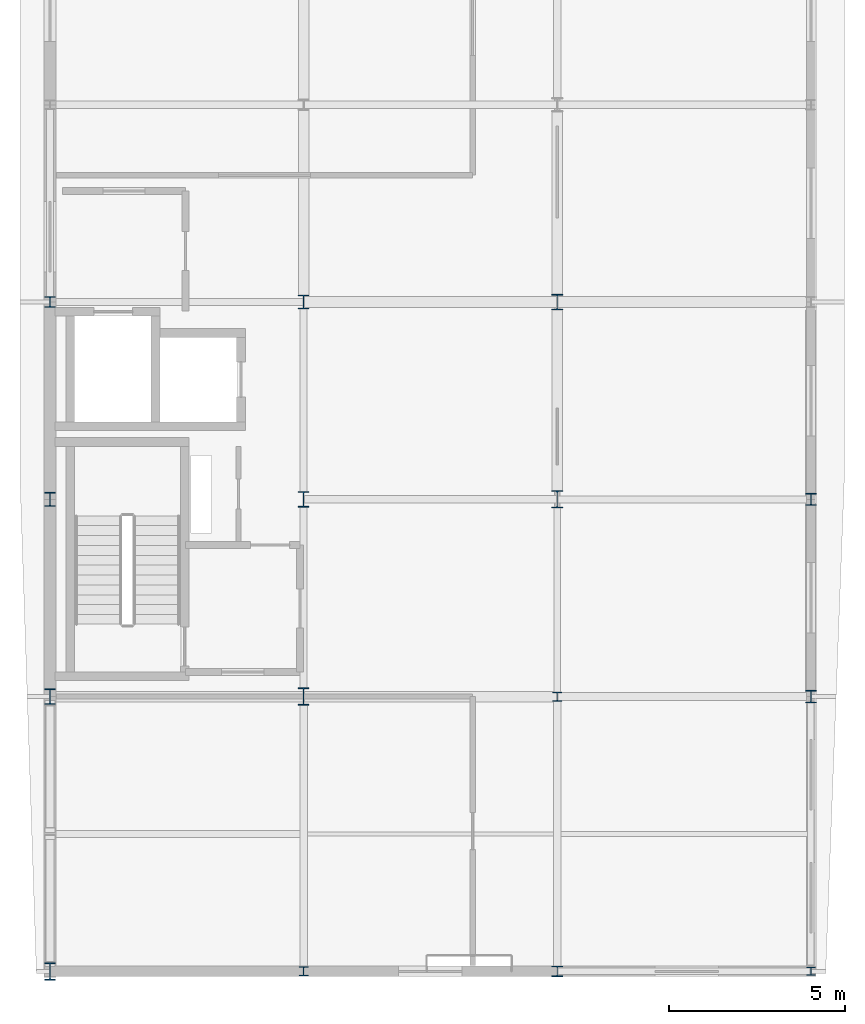
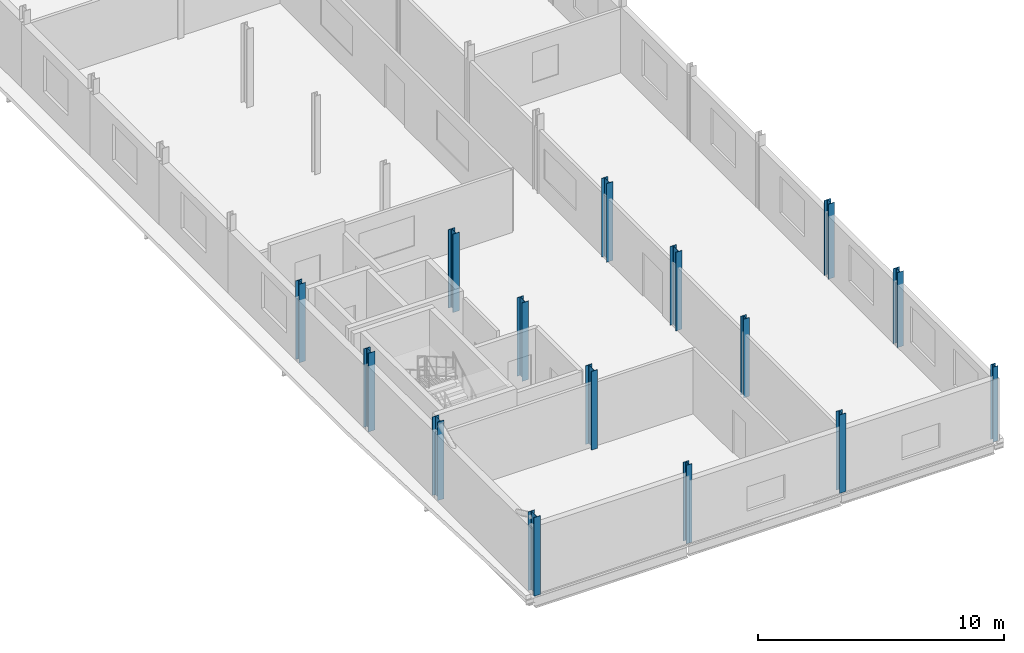
# One storey, part 1 of 16: 15 columns.
"""IFC4 building model written with IfcOpenShell, lengths in metres."""

from ifc_helpers import new_model, si_unit, direction, frame, origin, origin_2d, place, context, subcontext, project, spatial, i_section, extrude, material, material_profile, profile_set, type_object, element, save


model = new_model("IFC4")

# Units and contexts
model_context = context("Model", 3, precision=1e-05, world=origin(), true_north=direction((0.0, 1.0)))
body_context = subcontext(model_context, "Body", "Model", "MODEL_VIEW")
ifc_project = project(units=[si_unit("LENGTHUNIT", "METRE"), si_unit("AREAUNIT", "SQUARE_METRE"), si_unit("VOLUMEUNIT", "CUBIC_METRE"), si_unit("PLANEANGLEUNIT", "RADIAN"), si_unit("MASSUNIT", "GRAM", prefix="KILO")], contexts=[model_context])

# Site, building, storey
site_placement = place(None, origin())
site = spatial("IfcSite", under=ifc_project, at=site_placement, CompositionType="ELEMENT")
building_placement = place(site_placement, origin())
building = spatial("IfcBuilding", under=site, at=building_placement, Name="Vinh Khe Railworks Police Headquarters", CompositionType="ELEMENT")
storey_placement = place(building_placement, frame((0.0, 0.0, 28.800048828125)))
storey = spatial("IfcBuildingStorey", under=building, at=storey_placement, Name="L07", CompositionType="ELEMENT", Elevation=28.800048828125)

# Columns
ifc_material = material(Name="Steel S355JR", Category="steel")
ifc_material_profile_1 = material_profile(ifc_material, i_section(OverallWidth=0.239990234375, OverallDepth=0.22998046875, WebThickness=0.007568359375, FlangeThickness=0.011962890625, FilletRadius=0.02099609375, at=origin_2d()), Name="HEA 240")
ifc_profile_set_1 = profile_set([ifc_material_profile_1], Name="Steel S355JR")
column_type_1 = type_object("IfcColumnType", Name="Steel Column HEA 240", PredefinedType="COLUMN", material=ifc_profile_set_1)
column_1_placement = place(storey_placement, frame((22.199951171875, 17.39990234375, 0.0), z_axis=(0.0, 0.0, 1.0), x_axis=(1.0, 0.0, 0.0)))
element("IfcColumn", 1, at=column_1_placement, inside=storey, type_object=column_type_1, Name="Column COL-L07-SC-20-0516", PredefinedType="COLUMN", context=body_context, shape_type="SweptSolid", body=[
    extrude(i_section(OverallWidth=0.239990234375, OverallDepth=0.22998046875, WebThickness=0.007568359375, FlangeThickness=0.011962890625, FilletRadius=0.02099609375, at=origin_2d()), origin(), (0.0, 0.0, 1.0), 3.719970703125),
])
ifc_material_profile_2 = material_profile(ifc_material, i_section(OverallWidth=0.300048828125, OverallDepth=0.330078125, WebThickness=0.009521484375, FlangeThickness=0.0166015625, FilletRadius=0.027099609375, at=origin_2d()), Name="HEA 340")
ifc_profile_set_2 = profile_set([ifc_material_profile_2], Name="Steel S355JR")
column_type_2 = type_object("IfcColumnType", Name="Steel Column HEA 340", PredefinedType="COLUMN", material=ifc_profile_set_2)
column_2_placement = place(storey_placement, frame((22.199951171875, 30.800048828125, 0.0), z_axis=(0.0, 0.0, 1.0), x_axis=(1.0, 0.0, 0.0)))
element("IfcColumn", 2, at=column_2_placement, inside=storey, type_object=column_type_2, Name="Column COL-L07-SC-17-0534", PredefinedType="COLUMN", context=body_context, shape_type="SweptSolid", body=[
    extrude(i_section(OverallWidth=0.300048828125, OverallDepth=0.330078125, WebThickness=0.009521484375, FlangeThickness=0.0166015625, FilletRadius=0.027099609375, at=origin_2d()), origin(), (0.0, 0.0, 1.0), 3.719970703125),
])
ifc_material_profile_3 = material_profile(ifc_material, i_section(OverallWidth=0.300048828125, OverallDepth=0.35009765625, WebThickness=0.010009765625, FlangeThickness=0.017578125, FilletRadius=0.027099609375, at=origin_2d()), Name="HEA 360")
ifc_profile_set_3 = profile_set([ifc_material_profile_3], Name="Steel S355JR")
column_type_3 = type_object("IfcColumnType", Name="Steel Column HEA 360", PredefinedType="COLUMN", material=ifc_profile_set_3)
column_3_placement = place(storey_placement, frame((22.199951171875, 25.199951171875, 0.0), z_axis=(0.0, 0.0, 1.0), x_axis=(1.0, 0.0, 0.0)))
element("IfcColumn", 3, at=column_3_placement, inside=storey, type_object=column_type_3, Name="Column COL-L07-SC-16-0525", PredefinedType="COLUMN", context=body_context, shape_type="SweptSolid", body=[
    extrude(i_section(OverallWidth=0.300048828125, OverallDepth=0.35009765625, WebThickness=0.010009765625, FlangeThickness=0.017578125, FilletRadius=0.027099609375, at=origin_2d()), origin(), (0.0, 0.0, 1.0), 3.719970703125),
])
ifc_material_profile_4 = material_profile(ifc_material, i_section(OverallWidth=0.300048828125, OverallDepth=0.389892578125, WebThickness=0.010986328125, FlangeThickness=0.01904296875, FilletRadius=0.027099609375, at=origin_2d()), Name="HEA 400")
ifc_profile_set_4 = profile_set([ifc_material_profile_4], Name="Steel S355JR")
column_type_4 = type_object("IfcColumnType", Name="Steel Column HEA 400", PredefinedType="COLUMN", material=ifc_profile_set_4)
for number, where, z_axis, x_axis, name in (
    (4, (0.60009765625, 30.800048828125, 0.0), (0.0, 0.0, 1.0), (1.0, 0.0, 0.0), "Column COL-L07-SC-15-0035"),
    (5, (7.800048828125, 36.39990234375, 0.0), (0.0, 0.0, 1.0), (1.0, 0.0, 0.0), "Column COL-L07-SC-15-0212"),
):
    element("IfcColumn", number, at=place(storey_placement, frame(where, z_axis=z_axis, x_axis=x_axis)), inside=storey, type_object=column_type_4, Name=name, PredefinedType="COLUMN", context=body_context, shape_type="SweptSolid", body=[
        extrude(i_section(OverallWidth=0.300048828125, OverallDepth=0.389892578125, WebThickness=0.010986328125, FlangeThickness=0.01904296875, FilletRadius=0.027099609375, at=origin_2d()), origin(), (0.0, 0.0, 1.0), 3.89990234375),
    ])
ifc_material_profile_5 = material_profile(ifc_material, i_section(OverallWidth=0.300048828125, OverallDepth=0.43994140625, WebThickness=0.011474609375, FlangeThickness=0.02099609375, FilletRadius=0.027099609375, at=origin_2d()), Name="HEA 450")
ifc_profile_set_5 = profile_set([ifc_material_profile_5], Name="Steel S355JR")
column_type_5 = type_object("IfcColumnType", Name="Steel Column HEA 450", PredefinedType="COLUMN", material=ifc_profile_set_5)
for number, where, z_axis, x_axis, name in (
    (6, (0.60009765625, 25.199951171875, 0.0), (0.0, 0.0, 1.0), (1.0, 0.0, 0.0), "Column COL-L07-SC-14-0025"),
    (7, (7.800048828125, 30.800048828125, 0.0), (0.0, 0.0, 1.0), (1.0, 0.0, 0.0), "Column COL-L07-SC-14-0202"),
    (8, (15.0, 36.39990234375, 0.0), (0.0, 0.0, 1.0), (1.0, 0.0, 0.0), "Column COL-L07-SC-14-0379"),
):
    element("IfcColumn", number, at=place(storey_placement, frame(where, z_axis=z_axis, x_axis=x_axis)), inside=storey, type_object=column_type_5, Name=name, PredefinedType="COLUMN", context=body_context, shape_type="SweptSolid", body=[
        extrude(i_section(OverallWidth=0.300048828125, OverallDepth=0.43994140625, WebThickness=0.011474609375, FlangeThickness=0.02099609375, FilletRadius=0.027099609375, at=origin_2d()), origin(), (0.0, 0.0, 1.0), 3.89990234375),
    ])
ifc_material_profile_6 = material_profile(ifc_material, i_section(OverallWidth=0.300048828125, OverallDepth=0.489990234375, WebThickness=0.011962890625, FlangeThickness=0.02294921875, FilletRadius=0.027099609375, at=origin_2d()), Name="HEA 500")
ifc_profile_set_6 = profile_set([ifc_material_profile_6], Name="Steel S355JR")
column_type_6 = type_object("IfcColumnType", Name="Steel Column HEA 500", PredefinedType="COLUMN", material=ifc_profile_set_6)
for number, where, z_axis, x_axis, name in (
    (9, (0.60009765625, 17.39990234375, 0.0), (0.0, 0.0, 1.0), (1.0, 0.0, 0.0), "Column COL-L07-SC-13-0015"),
    (10, (7.800048828125, 25.199951171875, 0.0), (0.0, 0.0, 1.0), (1.0, 0.0, 0.0), "Column COL-L07-SC-13-0192"),
    (11, (15.0, 30.800048828125, 0.0), (0.0, 0.0, 1.0), (1.0, 0.0, 0.0), "Column COL-L07-SC-13-0369"),
):
    element("IfcColumn", number, at=place(storey_placement, frame(where, z_axis=z_axis, x_axis=x_axis)), inside=storey, type_object=column_type_6, Name=name, PredefinedType="COLUMN", context=body_context, shape_type="SweptSolid", body=[
        extrude(i_section(OverallWidth=0.300048828125, OverallDepth=0.489990234375, WebThickness=0.011962890625, FlangeThickness=0.02294921875, FilletRadius=0.027099609375, at=origin_2d()), origin(), (0.0, 0.0, 1.0), 3.89990234375),
    ])
ifc_material_profile_7 = material_profile(ifc_material, i_section(OverallWidth=0.260009765625, OverallDepth=0.260009765625, WebThickness=0.010009765625, FlangeThickness=0.017578125, FilletRadius=0.02392578125, at=origin_2d()), Name="HEB 260")
ifc_profile_set_7 = profile_set([ifc_material_profile_7], Name="Steel S355JR")
column_type_7 = type_object("IfcColumnType", Name="Steel Column HEB 260", PredefinedType="COLUMN", material=ifc_profile_set_7)
for number, where, z_axis, x_axis, name in (
    (12, (7.800048828125, 17.39990234375, 0.0), (0.0, 0.0, 1.0), (1.0, 0.0, 0.0), "Column COL-L07-SC-12-0182"),
    (13, (15.0, 25.199951171875, 0.0), (0.0, 0.0, 1.0), (1.0, 0.0, 0.0), "Column COL-L07-SC-12-0359"),
):
    element("IfcColumn", number, at=place(storey_placement, frame(where, z_axis=z_axis, x_axis=x_axis)), inside=storey, type_object=column_type_7, Name=name, PredefinedType="COLUMN", context=body_context, shape_type="SweptSolid", body=[
        extrude(i_section(OverallWidth=0.260009765625, OverallDepth=0.260009765625, WebThickness=0.010009765625, FlangeThickness=0.017578125, FilletRadius=0.02392578125, at=origin_2d()), origin(), (0.0, 0.0, 1.0), 3.89990234375),
    ])
ifc_material_profile_8 = material_profile(ifc_material, i_section(OverallWidth=0.300048828125, OverallDepth=0.300048828125, WebThickness=0.010986328125, FlangeThickness=0.01904296875, FilletRadius=0.027099609375, at=origin_2d()), Name="HEB 300")
ifc_profile_set_8 = profile_set([ifc_material_profile_8], Name="Steel S355JR")
column_type_8 = type_object("IfcColumnType", Name="Steel Column HEB 300", PredefinedType="COLUMN", material=ifc_profile_set_8)
for number, where, z_axis, x_axis, name in (
    (14, (0.60009765625, 36.39990234375, 0.0), (0.0, 0.0, 1.0), (1.0, 0.0, 0.0), "Column COL-L07-SC-11-0045"),
    (15, (15.0, 17.39990234375, 0.0), (0.0, 0.0, 1.0), (1.0, 0.0, 0.0), "Column COL-L07-SC-11-0349"),
):
    element("IfcColumn", number, at=place(storey_placement, frame(where, z_axis=z_axis, x_axis=x_axis)), inside=storey, type_object=column_type_8, Name=name, PredefinedType="COLUMN", context=body_context, shape_type="SweptSolid", body=[
        extrude(i_section(OverallWidth=0.300048828125, OverallDepth=0.300048828125, WebThickness=0.010986328125, FlangeThickness=0.01904296875, FilletRadius=0.027099609375, at=origin_2d()), origin(), (0.0, 0.0, 1.0), 3.89990234375),
    ])

save(model, "model.ifc")
